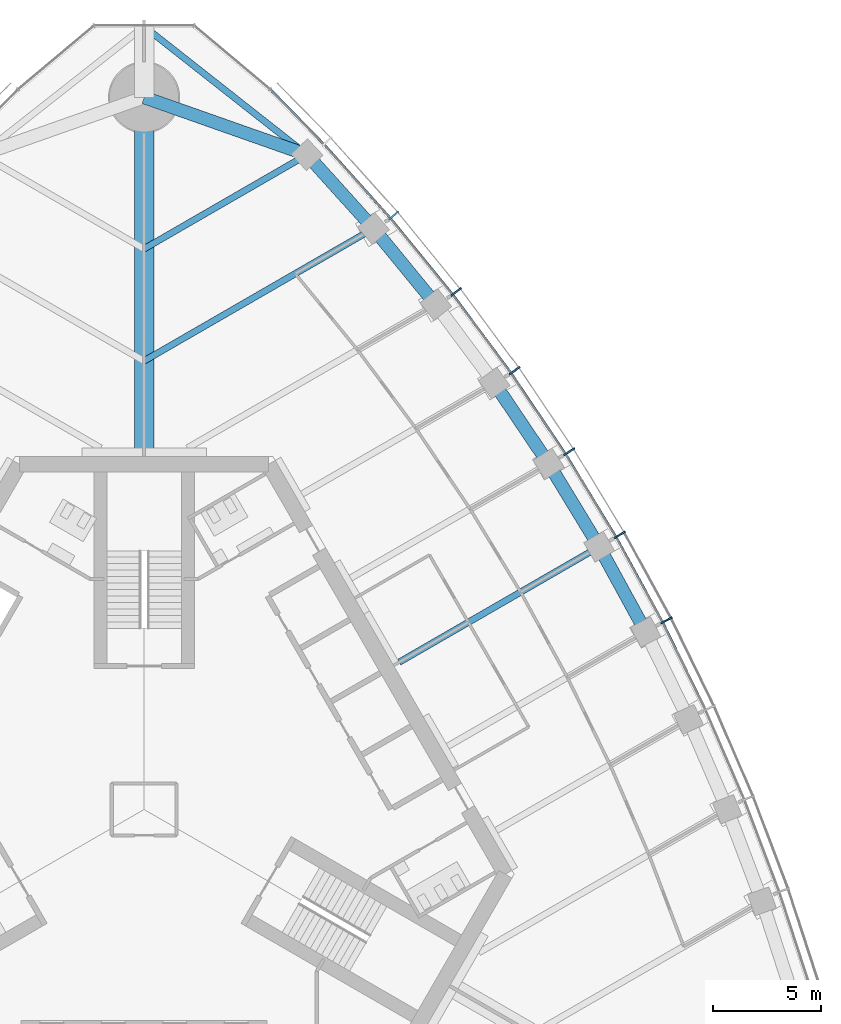
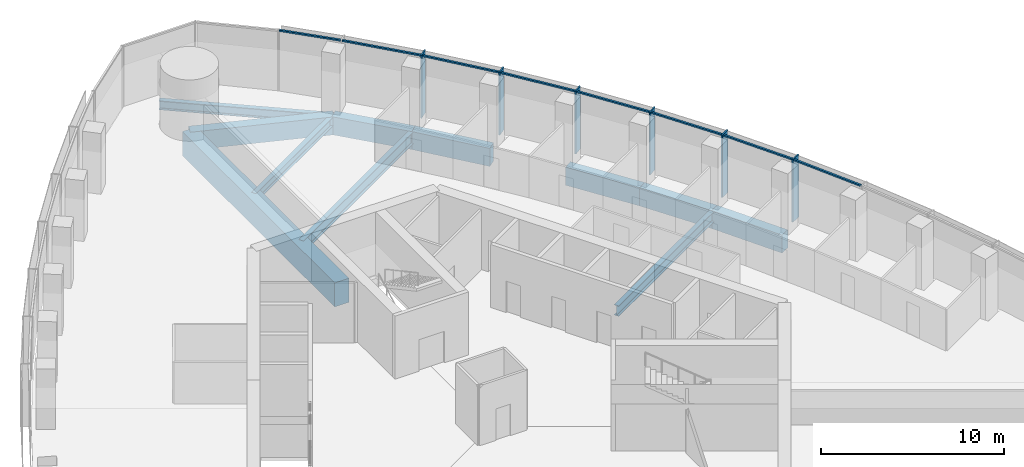
# One storey, part 7 of 19: 14 members, 11 beams, 1 element without a shape of its own.
"""IFC4 building model written with IfcOpenShell, lengths in metres."""

from ifc_helpers import new_model, si_unit, direction, frame, origin, origin_2d, place, context, subcontext, project, spatial, rectangle, i_section, extrude, material, material_profile, profile_set, type_object, element, aggregate, save


model = new_model("IFC4")

# Units and contexts
model_context = context("Model", 3, precision=1e-05, world=origin(), true_north=direction((0.0, 1.0)))
body_context = subcontext(model_context, "Body", "Model", "MODEL_VIEW")
ifc_project = project(units=[si_unit("LENGTHUNIT", "METRE"), si_unit("AREAUNIT", "SQUARE_METRE"), si_unit("VOLUMEUNIT", "CUBIC_METRE"), si_unit("PLANEANGLEUNIT", "RADIAN"), si_unit("MASSUNIT", "GRAM", prefix="KILO")], contexts=[model_context])

# Site, building, storey
site_placement = place(None, origin())
site = spatial("IfcSite", under=ifc_project, at=site_placement, CompositionType="ELEMENT")
building_placement = place(site_placement, origin())
building = spatial("IfcBuilding", under=site, at=building_placement, Name="Trefoil Bronze Tower", CompositionType="ELEMENT")
storey_placement = place(building_placement, frame((0.0, 0.0, 235.89990234375)))
storey = spatial("IfcBuildingStorey", under=building, at=storey_placement, Name="L54", CompositionType="ELEMENT", Elevation=235.89990234375)

# Curtain wall, members
ifc_material_1 = material(Name="Tinted solar-control glass", Category="glass")
curtain_wall_type = type_object("IfcCurtainWallType", Name="Bronze office curtain wall", PredefinedType="USERDEFINED", material=ifc_material_1)
curtain_wall_placement = place(storey_placement, origin())
curtain_wall = element("IfcCurtainWall", 1, at=curtain_wall_placement, inside=storey, type_object=curtain_wall_type, Name="CW-A L54 F2", ObjectType="CURTAIN WALL", PredefinedType="USERDEFINED")
ifc_material_2 = material(Name="Bronze-finish aluminium", Category="aluminium")
ifc_material_profile_1 = material_profile(ifc_material_2, rectangle(XDim=0.60009765625, YDim=0.080078125, at=origin_2d()), Name="CW-A mullion")
ifc_profile_set_1 = profile_set([ifc_material_profile_1], Name="Bronze-finish aluminium")
member_type_1 = type_object("IfcMemberType", Name="Bronze office curtain wall mullion", PredefinedType="MULLION", material=ifc_profile_set_1)
member_1_placement = place(storey_placement, frame((24.2080078125, 8.764404296875, 0.0), z_axis=(0.0, 0.0, 1.0), x_axis=(-0.888088206965, -0.459673075837, 0.0)))
member_1 = element("IfcMember", 2, at=member_1_placement, type_object=member_type_1, Name="CW-A L54 F2 mullion 6", PredefinedType="MULLION", context=body_context, shape_type="SweptSolid", body=[
    extrude(rectangle(XDim=0.60009765625, YDim=0.080078125, at=origin_2d()), origin(), (0.0, 0.0, 1.0), 4.18017578125),
])
member_2_placement = place(storey_placement, frame((22.041015625, 12.725341796875, 0.0), z_axis=(0.0, 0.0, 1.0), x_axis=(-0.866025403784, -0.5, 0.0)))
member_2 = element("IfcMember", 3, at=member_2_placement, type_object=member_type_1, Name="CW-A L54 F2 mullion 7", PredefinedType="MULLION", context=body_context, shape_type="SweptSolid", body=[
    extrude(rectangle(XDim=0.60009765625, YDim=0.080078125, at=origin_2d()), origin(), (0.0, 0.0, 1.0), 4.18017578125),
])
member_3_placement = place(storey_placement, frame((19.694091796875, 16.58251953125, 0.0), z_axis=(0.0, 0.0, 1.0), x_axis=(-0.842132664593, -0.539270410114, 0.0)))
member_3 = element("IfcMember", 4, at=member_3_placement, type_object=member_type_1, Name="CW-A L54 F2 mullion 8", PredefinedType="MULLION", context=body_context, shape_type="SweptSolid", body=[
    extrude(rectangle(XDim=0.60009765625, YDim=0.080078125, at=origin_2d()), origin(), (0.0, 0.0, 1.0), 4.18017578125),
])
member_4_placement = place(storey_placement, frame((17.167236328125, 20.335693359375, 0.0), z_axis=(0.0, 0.0, 1.0), x_axis=(-0.81640398396, -0.577481198806, 0.0)))
member_4 = element("IfcMember", 5, at=member_4_placement, type_object=member_type_1, Name="CW-A L54 F2 mullion 9", PredefinedType="MULLION", context=body_context, shape_type="SweptSolid", body=[
    extrude(rectangle(XDim=0.60009765625, YDim=0.080078125, at=origin_2d()), origin(), (0.0, 0.0, 1.0), 4.18017578125),
])
member_5_placement = place(storey_placement, frame((14.45849609375, 23.98388671875, 0.0), z_axis=(0.0, 0.0, 1.0), x_axis=(-0.788821461078, -0.614622406476, 0.0)))
member_5 = element("IfcMember", 6, at=member_5_placement, type_object=member_type_1, Name="CW-A L54 F2 mullion 10", PredefinedType="MULLION", context=body_context, shape_type="SweptSolid", body=[
    extrude(rectangle(XDim=0.60009765625, YDim=0.080078125, at=origin_2d()), origin(), (0.0, 0.0, 1.0), 4.18017578125),
])
member_6_placement = place(storey_placement, frame((11.564697265625, 27.525146484375, 0.0), z_axis=(0.0, 0.0, 1.0), x_axis=(-0.75935470958, -0.650676897576, 0.0)))
member_6 = element("IfcMember", 7, at=member_6_placement, type_object=member_type_1, Name="CW-A L54 F2 mullion 11", PredefinedType="MULLION", context=body_context, shape_type="SweptSolid", body=[
    extrude(rectangle(XDim=0.60009765625, YDim=0.080078125, at=origin_2d()), origin(), (0.0, 0.0, 1.0), 4.18017578125),
])
ifc_material_3 = material(Name="Bronze-finish aluminium", Category="aluminium")
ifc_material_profile_2 = material_profile(ifc_material_3, rectangle(XDim=0.1201171875, YDim=0.10009765625, at=origin_2d()), Name="CW-A transom")
ifc_profile_set_2 = profile_set([ifc_material_profile_2], Name="Bronze-finish aluminium")
member_type_2 = type_object("IfcMemberType", Name="Bronze office curtain wall transom", PredefinedType="USERDEFINED", material=ifc_profile_set_2)
member_7_placement = place(storey_placement, frame((25.99462890625, 4.65380859375, 4.130126953125), z_axis=(-0.439150835991, 0.898413347657, 0.0), x_axis=(-0.898413347657, -0.439150835991, 0.0)))
member_7 = element("IfcMember", 8, at=member_7_placement, type_object=member_type_2, Name="CW-A L54 F2 transom 5", ObjectType="TRANSOM", PredefinedType="USERDEFINED", context=body_context, shape_type="SweptSolid", body=[
    extrude(rectangle(XDim=0.1201171875, YDim=0.10009765625, at=origin_2d()), origin(), (0.0, 0.0, 1.0), 4.430908203125),
])
member_8_placement = place(storey_placement, frame((24.010009765625, 8.70947265625, 4.130126953125), z_axis=(-0.479973729071, 0.877282861683, 0.0), x_axis=(-0.877282861683, -0.479973729071, 0.0)))
member_8 = element("IfcMember", 9, at=member_8_placement, type_object=member_type_2, Name="CW-A L54 F2 transom 6", ObjectType="TRANSOM", PredefinedType="USERDEFINED", context=body_context, shape_type="SweptSolid", body=[
    extrude(rectangle(XDim=0.1201171875, YDim=0.10009765625, at=origin_2d()), origin(), (0.0, 0.0, 1.0), 4.421142578125),
])
member_9_placement = place(storey_placement, frame((21.845703125, 12.661376953125, 4.130126953125), z_axis=(-0.519740214649, 0.854324358354, 0.0), x_axis=(-0.854324358354, -0.519740214649, 0.0)))
member_9 = element("IfcMember", 10, at=member_9_placement, type_object=member_type_2, Name="CW-A L54 F2 transom 7", ObjectType="TRANSOM", PredefinedType="USERDEFINED", context=body_context, shape_type="SweptSolid", body=[
    extrude(rectangle(XDim=0.1201171875, YDim=0.10009765625, at=origin_2d()), origin(), (0.0, 0.0, 1.0), 4.421142578125),
])
member_10_placement = place(storey_placement, frame((19.502197265625, 16.509765625, 4.130126953125), z_axis=(-0.558509087547, 0.829498402125, 0.0), x_axis=(-0.829498402125, -0.558509087547, 0.0)))
member_10 = element("IfcMember", 11, at=member_10_placement, type_object=member_type_2, Name="CW-A L54 F2 transom 8", ObjectType="TRANSOM", PredefinedType="USERDEFINED", context=body_context, shape_type="SweptSolid", body=[
    extrude(rectangle(XDim=0.1201171875, YDim=0.10009765625, at=origin_2d()), origin(), (0.0, 0.0, 1.0), 4.4306640625),
])
member_11_placement = place(storey_placement, frame((16.978759765625, 20.254150390625, 4.130126953125), z_axis=(-0.59614822717, 0.802874393191, 0.0), x_axis=(-0.802874393191, -0.59614822717, 0.0)))
member_11 = element("IfcMember", 12, at=member_11_placement, type_object=member_type_2, Name="CW-A L54 F2 transom 9", ObjectType="TRANSOM", PredefinedType="USERDEFINED", context=body_context, shape_type="SweptSolid", body=[
    extrude(rectangle(XDim=0.1201171875, YDim=0.10009765625, at=origin_2d()), origin(), (0.0, 0.0, 1.0), 4.449951171875),
])
member_12_placement = place(storey_placement, frame((14.27392578125, 23.8935546875, 4.130126953125), z_axis=(-0.632756871921, 0.774350528531, 0.0), x_axis=(-0.774350528531, -0.632756871921, 0.0)))
member_12 = element("IfcMember", 13, at=member_12_placement, type_object=member_type_2, Name="CW-A L54 F2 transom 10", ObjectType="TRANSOM", PredefinedType="USERDEFINED", context=body_context, shape_type="SweptSolid", body=[
    extrude(rectangle(XDim=0.1201171875, YDim=0.10009765625, at=origin_2d()), origin(), (0.0, 0.0, 1.0), 4.4794921875),
])
member_13_placement = place(storey_placement, frame((11.384521484375, 27.426513671875, 4.130126953125), z_axis=(-0.66825109551, 0.743935799213, 0.0), x_axis=(-0.743935799213, -0.66825109551, 0.0)))
member_13 = element("IfcMember", 14, at=member_13_placement, type_object=member_type_2, Name="CW-A L54 F2 transom 11", ObjectType="TRANSOM", PredefinedType="USERDEFINED", context=body_context, shape_type="SweptSolid", body=[
    extrude(rectangle(XDim=0.1201171875, YDim=0.10009765625, at=origin_2d()), origin(), (0.0, 0.0, 1.0), 4.519287109375),
])
member_14_placement = place(storey_placement, frame((8.306884765625, 30.85009765625, 4.130126953125), z_axis=(-0.698646935368, 0.715466602785, 0.0), x_axis=(-0.715466602785, -0.698646935368, 0.0)))
member_14 = element("IfcMember", 15, at=member_14_placement, type_object=member_type_2, Name="CW-A L54 F2 transom 12", ObjectType="TRANSOM", PredefinedType="USERDEFINED", context=body_context, shape_type="SweptSolid", body=[
    extrude(rectangle(XDim=0.1201171875, YDim=0.10009765625, at=origin_2d()), origin(), (0.0, 0.0, 1.0), 3.483642578125),
])
aggregate(curtain_wall, [member_1, member_2, member_3, member_4, member_5, member_6, member_7, member_8, member_9, member_10, member_11, member_12, member_13, member_14])

# Beams
ifc_material_4 = material(Name="Steel C355", Category="steel")
ifc_material_profile_3 = material_profile(ifc_material_4, i_section(OverallWidth=0.300048828125, OverallDepth=0.60009765625, WebThickness=0.015380859375, FlangeThickness=0.030029296875, FilletRadius=0.027099609375, at=origin_2d()), Name="HEB 600")
ifc_profile_set_3 = profile_set([ifc_material_profile_3], Name="Steel C355")
beam_type_1 = type_object("IfcBeamType", Name="Corner edge beam HEB 600", PredefinedType="BEAM", material=ifc_profile_set_3)
beam_1_placement = place(storey_placement, frame((7.552001953125, 30.3408203125, -0.5), z_axis=(-0.785805912008, 0.618473175371, 0.0), x_axis=(-0.618473175371, -0.785805912008, 0.0)))
element("IfcBeam", 16, at=beam_1_placement, inside=storey, type_object=beam_type_1, Name="Corner edge beam F2A L54", PredefinedType="BEAM", context=body_context, shape_type="SweptSolid", body=[
    extrude(i_section(OverallWidth=0.300048828125, OverallDepth=0.60009765625, WebThickness=0.015380859375, FlangeThickness=0.030029296875, FilletRadius=0.027099609375, at=origin_2d()), origin(), (0.0, 0.0, 1.0), 9.610595703125),
])
ifc_material_5 = material(Name="Concrete B80", Category="concrete")
ifc_material_profile_4 = material_profile(ifc_material_5, rectangle(XDim=0.89990234375, YDim=1.60009765625, at=origin_2d()), Name="RC 900x1600")
ifc_profile_set_4 = profile_set([ifc_material_profile_4], Name="Concrete B80")
beam_type_2 = type_object("IfcBeamType", Name="Corner girder RC 900x1600", PredefinedType="BEAM", material=ifc_profile_set_4)
beam_2_placement = place(storey_placement, frame((0.0, 16.35009765625, -1.0), z_axis=(0.0, 1.0, 0.0), x_axis=(-1.0, 0.0, 0.0)))
element("IfcBeam", 17, at=beam_2_placement, inside=storey, type_object=beam_type_2, Name="Corner girder K2 L54", PredefinedType="BEAM", context=body_context, shape_type="SweptSolid", body=[
    extrude(rectangle(XDim=0.89990234375, YDim=1.60009765625, at=origin_2d()), origin(), (0.0, 0.0, 1.0), 16.64990234375),
])
ifc_material_6 = material(Name="Concrete B80", Category="concrete")
ifc_material_profile_5 = material_profile(ifc_material_6, rectangle(XDim=0.60009765625, YDim=1.199951171875, at=origin_2d()), Name="RC 600x1200")
ifc_profile_set_5 = profile_set([ifc_material_profile_5], Name="Concrete B80")
beam_type_3 = type_object("IfcBeamType", Name="End spandrel beam RC 600x1200", PredefinedType="SPANDREL", material=ifc_profile_set_5)
beam_3_placement = place(storey_placement, frame((7.552001953125, 30.3408203125, -0.7998046875), z_axis=(-0.943234397359, 0.332127794137, 0.0), x_axis=(-0.332127794137, -0.943234397359, 0.0)))
element("IfcBeam", 18, at=beam_3_placement, inside=storey, type_object=beam_type_3, Name="Spandrel F2.12 L54", PredefinedType="SPANDREL", context=body_context, shape_type="SweptSolid", body=[
    extrude(rectangle(XDim=0.60009765625, YDim=1.199951171875, at=origin_2d()), origin(), (0.0, 0.0, 1.0), 8.006591796875),
])
ifc_material_7 = material(Name="Steel C355", Category="steel")
ifc_material_profile_6 = material_profile(ifc_material_7, i_section(OverallWidth=0.300048828125, OverallDepth=0.590087890625, WebThickness=0.012939453125, FlangeThickness=0.02490234375, FilletRadius=0.027099609375, at=origin_2d()), Name="HEA 600")
ifc_profile_set_6 = profile_set([ifc_material_profile_6], Name="Steel C355")
beam_type_4 = type_object("IfcBeamType", Name="Floor beam HEA 600", PredefinedType="BEAM", material=ifc_profile_set_6)
beam_4_placement = place(storey_placement, frame((7.552001953125, 30.3408203125, -0.494873046875), z_axis=(-0.866027535932, -0.499996306993, 0.0), x_axis=(0.499996306993, -0.866027535932, 0.0)))
element("IfcBeam", 19, at=beam_4_placement, inside=storey, type_object=beam_type_4, Name="Floor beam F2/+5 L54", PredefinedType="BEAM", context=body_context, shape_type="SweptSolid", body=[
    extrude(i_section(OverallWidth=0.300048828125, OverallDepth=0.590087890625, WebThickness=0.012939453125, FlangeThickness=0.02490234375, FilletRadius=0.027099609375, at=origin_2d()), origin(), (0.0, 0.0, 1.0), 8.72021484375),
])
ifc_material_8 = material(Name="Steel C355", Category="steel")
ifc_material_profile_7 = material_profile(ifc_material_8, i_section(OverallWidth=0.300048828125, OverallDepth=0.699951171875, WebThickness=0.01708984375, FlangeThickness=0.031982421875, FilletRadius=0.027099609375, at=origin_2d()), Name="HEB 700")
ifc_profile_set_7 = profile_set([ifc_material_profile_7], Name="Steel C355")
beam_type_5 = type_object("IfcBeamType", Name="Floor beam HEB 700", PredefinedType="BEAM", material=ifc_profile_set_7)
beam_5_placement = place(storey_placement, frame((21.08837890625, 12.17529296875, -0.5498046875), z_axis=(-0.86602601154, -0.499998947334, 0.0), x_axis=(0.499998947334, -0.86602601154, 0.0)))
element("IfcBeam", 20, at=beam_5_placement, inside=storey, type_object=beam_type_5, Name="Floor beam F2/+0 L54", PredefinedType="BEAM", context=body_context, shape_type="SweptSolid", body=[
    extrude(i_section(OverallWidth=0.300048828125, OverallDepth=0.699951171875, WebThickness=0.01708984375, FlangeThickness=0.031982421875, FilletRadius=0.027099609375, at=origin_2d()), origin(), (0.0, 0.0, 1.0), 10.70068359375),
])
ifc_material_9 = material(Name="Steel C355", Category="steel")
ifc_material_profile_8 = material_profile(ifc_material_9, i_section(OverallWidth=0.300048828125, OverallDepth=0.800048828125, WebThickness=0.017578125, FlangeThickness=0.032958984375, FilletRadius=0.030029296875, at=origin_2d()), Name="HEB 800")
ifc_profile_set_8 = profile_set([ifc_material_profile_8], Name="Steel C355")
beam_type_6 = type_object("IfcBeamType", Name="Floor beam HEB 800", PredefinedType="BEAM", material=ifc_profile_set_8)
beam_6_placement = place(storey_placement, frame((10.632080078125, 26.923095703125, -0.599853515625), z_axis=(-0.866025635187, -0.499999599199, 0.0), x_axis=(0.499999599199, -0.866025635187, 0.0)))
element("IfcBeam", 21, at=beam_6_placement, inside=storey, type_object=beam_type_6, Name="Floor beam F2/+4 L54", PredefinedType="BEAM", context=body_context, shape_type="SweptSolid", body=[
    extrude(i_section(OverallWidth=0.300048828125, OverallDepth=0.800048828125, WebThickness=0.017578125, FlangeThickness=0.032958984375, FilletRadius=0.030029296875, at=origin_2d()), origin(), (0.0, 0.0, 1.0), 12.27685546875),
])
ifc_material_10 = material(Name="Concrete B80", Category="concrete")
ifc_material_profile_9 = material_profile(ifc_material_10, rectangle(XDim=0.60009765625, YDim=1.199951171875, at=origin_2d()), Name="RC 600x1200")
ifc_profile_set_9 = profile_set([ifc_material_profile_9], Name="Concrete B80")
beam_type_7 = type_object("IfcBeamType", Name="Spandrel beam RC 600x1200", PredefinedType="SPANDREL", material=ifc_profile_set_9)
for number, where, z_axis, x_axis, name in (
    (22, (23.248046875, 8.22607421875, -0.7998046875), (-0.479801903802, 0.87737684783, 0.0), (-0.87737684783, -0.479801903802, 0.0), "Spandrel F2.6 L54"),
    (23, (21.08837890625, 12.17529296875, -0.7998046875), (-0.519933181394, 0.854206934464, 0.0), (-0.854206934464, -0.519933181394, 0.0), "Spandrel F2.7 L54"),
):
    element("IfcBeam", number, at=place(storey_placement, frame(where, z_axis=z_axis, x_axis=x_axis)), inside=storey, type_object=beam_type_7, Name=name, PredefinedType="SPANDREL", context=body_context, shape_type="SweptSolid", body=[
        extrude(rectangle(XDim=0.60009765625, YDim=1.199951171875, at=origin_2d()), origin(), (0.0, 0.0, 1.0), 4.501220703125),
    ])
beam_7_placement = place(storey_placement, frame((18.748046875, 16.020263671875, -0.7998046875), z_axis=(-0.558964302753, 0.829191719838, 0.0), x_axis=(-0.829191719838, -0.558964302753, 0.0)))
element("IfcBeam", 24, at=beam_7_placement, inside=storey, type_object=beam_type_7, Name="Spandrel F2.8 L54", PredefinedType="SPANDREL", context=body_context, shape_type="SweptSolid", body=[
    extrude(rectangle(XDim=0.60009765625, YDim=1.199951171875, at=origin_2d()), origin(), (0.0, 0.0, 1.0), 4.510986328125),
])
beam_8_placement = place(storey_placement, frame((13.522216796875, 23.3955078125, -0.7998046875), z_axis=(-0.633753657863, 0.773534938542, 0.0), x_axis=(-0.773534938542, -0.633753657863, 0.0)))
element("IfcBeam", 25, at=beam_8_placement, inside=storey, type_object=beam_type_7, Name="Spandrel F2.10 L54", PredefinedType="SPANDREL", context=body_context, shape_type="SweptSolid", body=[
    extrude(rectangle(XDim=0.60009765625, YDim=1.199951171875, at=origin_2d()), origin(), (0.0, 0.0, 1.0), 4.560302734375),
])
beam_9_placement = place(storey_placement, frame((10.632080078125, 26.923095703125, -0.7998046875), z_axis=(-0.669460045872, 0.742848064534, 0.0), x_axis=(-0.742848064534, -0.669460045872, 0.0)))
element("IfcBeam", 26, at=beam_9_placement, inside=storey, type_object=beam_type_7, Name="Spandrel F2.11 L54", PredefinedType="SPANDREL", context=body_context, shape_type="SweptSolid", body=[
    extrude(rectangle(XDim=0.60009765625, YDim=1.199951171875, at=origin_2d()), origin(), (0.0, 0.0, 1.0), 4.600830078125),
])

save(model, "model.ifc")
